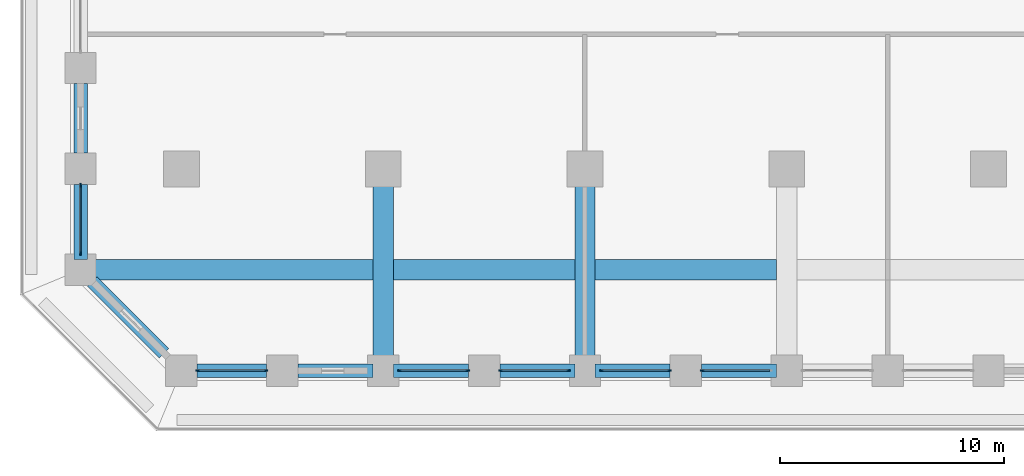
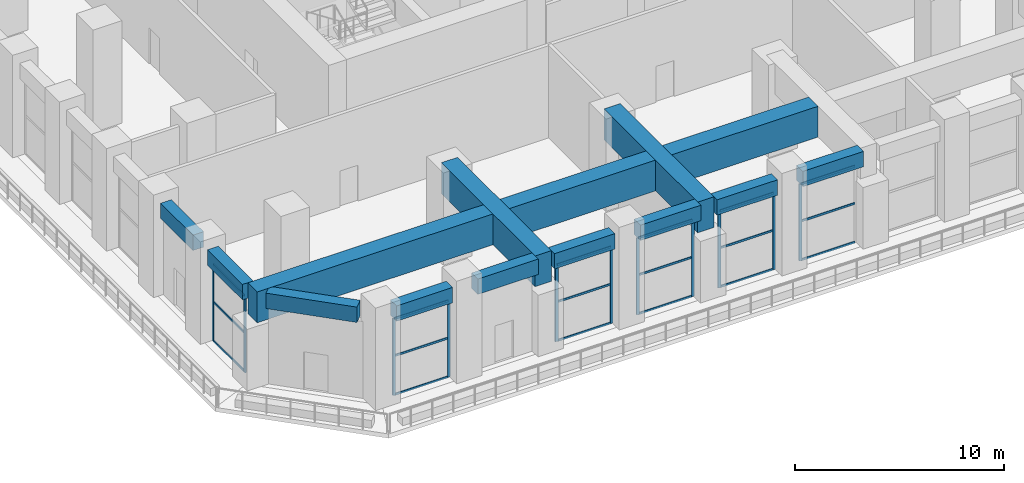
# One storey, part 2 of 19: 29 members, 14 beams, 6 elements without a shape of their own.
"""IFC4 building model written with IfcOpenShell, lengths in metres."""

from ifc_helpers import new_model, si_unit, direction, frame, origin, origin_2d, place, context, subcontext, project, spatial, rectangle, extrude, material, material_profile, profile_set, type_object, element, aggregate, save


model = new_model("IFC4")

# Units and contexts
model_context = context("Model", 3, precision=1e-05, world=origin(), true_north=direction((0.0, 1.0)))
body_context = subcontext(model_context, "Body", "Model", "MODEL_VIEW")
ifc_project = project(units=[si_unit("LENGTHUNIT", "METRE"), si_unit("AREAUNIT", "SQUARE_METRE"), si_unit("VOLUMEUNIT", "CUBIC_METRE"), si_unit("PLANEANGLEUNIT", "RADIAN"), si_unit("MASSUNIT", "GRAM", prefix="KILO")], contexts=[model_context])

# Site, building, storey
site_placement = place(None, origin())
site = spatial("IfcSite", under=ifc_project, at=site_placement, CompositionType="ELEMENT")
building_placement = place(site_placement, origin())
building = spatial("IfcBuilding", under=site, at=building_placement, Name="Corbel Stack Research Tower", CompositionType="ELEMENT")
storey_placement = place(building_placement, frame((0.0, 0.0, 70.60009765625)))
storey = spatial("IfcBuildingStorey", under=building, at=storey_placement, Name="L16", CompositionType="ELEMENT", Elevation=70.60009765625)

# Curtain wall, members
ifc_material_1 = material(Name="Aluminium frame, clear glass", Category="aluminium")
curtain_wall_type = type_object("IfcCurtainWallType", Name="Amenity floor curtain wall CW2", PredefinedType="NOTDEFINED", material=ifc_material_1)
curtain_wall_1_placement = place(storey_placement, origin())
curtain_wall_1 = element("IfcCurtainWall", 1, at=curtain_wall_1_placement, inside=storey, type_object=curtain_wall_type, Name="Curtain wall CW2 L16 S01", PredefinedType="NOTDEFINED")
ifc_material_2 = material(Name="Aluminium mullion", Category="aluminium")
ifc_material_profile_1 = material_profile(ifc_material_2, rectangle(XDim=0.06005859375, YDim=0.159912109375, at=origin_2d()), Name="Mullion 60 x 160")
ifc_profile_set_1 = profile_set([ifc_material_profile_1], Name="Aluminium mullion")
member_type_1 = type_object("IfcMemberType", Name="Curtain wall mullion 60 x 160", PredefinedType="MULLION", material=ifc_profile_set_1)
member_1_placement = place(storey_placement, frame((-17.27001953125, -27.0, 0.0), z_axis=(0.0, 0.0, 1.0), x_axis=(0.0, 1.0, 0.0)))
member_1 = element("IfcMember", 2, at=member_1_placement, type_object=member_type_1, Name="CW2 L16 S01 mullion 1", PredefinedType="MULLION", context=body_context, shape_type="SweptSolid", body=[
    extrude(rectangle(XDim=0.06005859375, YDim=0.159912109375, at=origin_2d()), origin(), (0.0, 0.0, 1.0), 4.5),
])
member_2_placement = place(storey_placement, frame((-14.22998046875, -27.0, 0.0), z_axis=(0.0, 0.0, 1.0), x_axis=(0.0, 1.0, 0.0)))
member_2 = element("IfcMember", 3, at=member_2_placement, type_object=member_type_1, Name="CW2 L16 S01 mullion 2", PredefinedType="MULLION", context=body_context, shape_type="SweptSolid", body=[
    extrude(rectangle(XDim=0.06005859375, YDim=0.159912109375, at=origin_2d()), origin(), (0.0, 0.0, 1.0), 4.5),
])

curtain_wall_2_placement = place(storey_placement, origin())
curtain_wall_2 = element("IfcCurtainWall", 4, at=curtain_wall_2_placement, inside=storey, type_object=curtain_wall_type, Name="Curtain wall CW2 L16 S03", PredefinedType="NOTDEFINED")
member_3_placement = place(storey_placement, frame((-8.27001953125, -27.0, 0.0), z_axis=(0.0, 0.0, 1.0), x_axis=(0.0, 1.0, 0.0)))
member_3 = element("IfcMember", 5, at=member_3_placement, type_object=member_type_1, Name="CW2 L16 S03 mullion 1", PredefinedType="MULLION", context=body_context, shape_type="SweptSolid", body=[
    extrude(rectangle(XDim=0.06005859375, YDim=0.159912109375, at=origin_2d()), origin(), (0.0, 0.0, 1.0), 4.5),
])
member_4_placement = place(storey_placement, frame((-5.22998046875, -27.0, 0.0), z_axis=(0.0, 0.0, 1.0), x_axis=(0.0, 1.0, 0.0)))
member_4 = element("IfcMember", 6, at=member_4_placement, type_object=member_type_1, Name="CW2 L16 S03 mullion 2", PredefinedType="MULLION", context=body_context, shape_type="SweptSolid", body=[
    extrude(rectangle(XDim=0.06005859375, YDim=0.159912109375, at=origin_2d()), origin(), (0.0, 0.0, 1.0), 4.5),
])

curtain_wall_3_placement = place(storey_placement, origin())
curtain_wall_3 = element("IfcCurtainWall", 7, at=curtain_wall_3_placement, inside=storey, type_object=curtain_wall_type, Name="Curtain wall CW2 L16 S04", PredefinedType="NOTDEFINED")
member_5_placement = place(storey_placement, frame((-3.77001953125, -27.0, 0.0), z_axis=(0.0, 0.0, 1.0), x_axis=(0.0, 1.0, 0.0)))
member_5 = element("IfcMember", 8, at=member_5_placement, type_object=member_type_1, Name="CW2 L16 S04 mullion 1", PredefinedType="MULLION", context=body_context, shape_type="SweptSolid", body=[
    extrude(rectangle(XDim=0.06005859375, YDim=0.159912109375, at=origin_2d()), origin(), (0.0, 0.0, 1.0), 4.5),
])
member_6_placement = place(storey_placement, frame((-0.72998046875, -27.0, 0.0), z_axis=(0.0, 0.0, 1.0), x_axis=(0.0, 1.0, 0.0)))
member_6 = element("IfcMember", 9, at=member_6_placement, type_object=member_type_1, Name="CW2 L16 S04 mullion 2", PredefinedType="MULLION", context=body_context, shape_type="SweptSolid", body=[
    extrude(rectangle(XDim=0.06005859375, YDim=0.159912109375, at=origin_2d()), origin(), (0.0, 0.0, 1.0), 4.5),
])

curtain_wall_4_placement = place(storey_placement, origin())
curtain_wall_4 = element("IfcCurtainWall", 10, at=curtain_wall_4_placement, inside=storey, type_object=curtain_wall_type, Name="Curtain wall CW2 L16 S05", PredefinedType="NOTDEFINED")
member_7_placement = place(storey_placement, frame((0.72998046875, -27.0, 0.0), z_axis=(0.0, 0.0, 1.0), x_axis=(0.0, 1.0, 0.0)))
member_7 = element("IfcMember", 11, at=member_7_placement, type_object=member_type_1, Name="CW2 L16 S05 mullion 1", PredefinedType="MULLION", context=body_context, shape_type="SweptSolid", body=[
    extrude(rectangle(XDim=0.06005859375, YDim=0.159912109375, at=origin_2d()), origin(), (0.0, 0.0, 1.0), 4.5),
])
member_8_placement = place(storey_placement, frame((3.77001953125, -27.0, 0.0), z_axis=(0.0, 0.0, 1.0), x_axis=(0.0, 1.0, 0.0)))
member_8 = element("IfcMember", 12, at=member_8_placement, type_object=member_type_1, Name="CW2 L16 S05 mullion 2", PredefinedType="MULLION", context=body_context, shape_type="SweptSolid", body=[
    extrude(rectangle(XDim=0.06005859375, YDim=0.159912109375, at=origin_2d()), origin(), (0.0, 0.0, 1.0), 4.5),
])

# Curtain wall, member
curtain_wall_5_placement = place(storey_placement, origin())
curtain_wall_5 = element("IfcCurtainWall", 13, at=curtain_wall_5_placement, inside=storey, type_object=curtain_wall_type, Name="Curtain wall CW2 L16 S06", PredefinedType="NOTDEFINED")
member_9_placement = place(storey_placement, frame((5.22998046875, -27.0, 0.0), z_axis=(0.0, 0.0, 1.0), x_axis=(0.0, 1.0, 0.0)))
member_9 = element("IfcMember", 14, at=member_9_placement, type_object=member_type_1, Name="CW2 L16 S06 mullion 1", PredefinedType="MULLION", context=body_context, shape_type="SweptSolid", body=[
    extrude(rectangle(XDim=0.06005859375, YDim=0.159912109375, at=origin_2d()), origin(), (0.0, 0.0, 1.0), 4.5),
])

# Curtain wall, members
curtain_wall_6_placement = place(storey_placement, origin())
curtain_wall_6 = element("IfcCurtainWall", 15, at=curtain_wall_6_placement, inside=storey, type_object=curtain_wall_type, Name="Curtain wall CW2 L16 W10", PredefinedType="NOTDEFINED")
member_10_placement = place(storey_placement, frame((-22.5, -18.72998046875, 0.0), z_axis=(0.0, 0.0, 1.0), x_axis=(1.0, 0.0, 0.0)))
member_10 = element("IfcMember", 16, at=member_10_placement, type_object=member_type_1, Name="CW2 L16 W10 mullion 1", PredefinedType="MULLION", context=body_context, shape_type="SweptSolid", body=[
    extrude(rectangle(XDim=0.06005859375, YDim=0.159912109375, at=origin_2d()), origin(), (0.0, 0.0, 1.0), 4.5),
])
member_11_placement = place(storey_placement, frame((-22.5, -21.77001953125, 0.0), z_axis=(0.0, 0.0, 1.0), x_axis=(1.0, 0.0, 0.0)))
member_11 = element("IfcMember", 17, at=member_11_placement, type_object=member_type_1, Name="CW2 L16 W10 mullion 2", PredefinedType="MULLION", context=body_context, shape_type="SweptSolid", body=[
    extrude(rectangle(XDim=0.06005859375, YDim=0.159912109375, at=origin_2d()), origin(), (0.0, 0.0, 1.0), 4.5),
])

# Member
ifc_material_3 = material(Name="Aluminium transom", Category="aluminium")
ifc_material_profile_2 = material_profile(ifc_material_3, rectangle(XDim=0.06005859375, YDim=0.1201171875, at=origin_2d()), Name="Transom 60 x 120")
ifc_profile_set_2 = profile_set([ifc_material_profile_2], Name="Aluminium transom")
member_type_2 = type_object("IfcMemberType", Name="Curtain wall transom 60 x 120", PredefinedType="USERDEFINED", material=ifc_profile_set_2)
member_12_placement = place(storey_placement, frame((-17.239990234375, -27.0, 0.02978515625), z_axis=(1.0, 0.0, 0.0), x_axis=(0.0, 1.0, 0.0)))
member_12 = element("IfcMember", 18, at=member_12_placement, type_object=member_type_2, Name="CW2 L16 S01 transom 1.1", ObjectType="TRANSOM", PredefinedType="USERDEFINED", context=body_context, shape_type="SweptSolid", body=[
    extrude(rectangle(XDim=0.06005859375, YDim=0.1201171875, at=origin_2d()), origin(), (0.0, 0.0, 1.0), 2.97998046875),
])

member_13_placement = place(storey_placement, frame((-17.239990234375, -27.0, 2.2998046875), z_axis=(1.0, 0.0, 0.0), x_axis=(0.0, 1.0, 0.0)))
member_13 = element("IfcMember", 19, at=member_13_placement, type_object=member_type_2, Name="CW2 L16 S01 transom 1.2", ObjectType="TRANSOM", PredefinedType="USERDEFINED", context=body_context, shape_type="SweptSolid", body=[
    extrude(rectangle(XDim=0.06005859375, YDim=0.1201171875, at=origin_2d()), origin(), (0.0, 0.0, 1.0), 2.97998046875),
])

member_14_placement = place(storey_placement, frame((-17.239990234375, -27.0, 4.469970703125), z_axis=(1.0, 0.0, 0.0), x_axis=(0.0, 1.0, 0.0)))
member_14 = element("IfcMember", 20, at=member_14_placement, type_object=member_type_2, Name="CW2 L16 S01 transom 1.3", ObjectType="TRANSOM", PredefinedType="USERDEFINED", context=body_context, shape_type="SweptSolid", body=[
    extrude(rectangle(XDim=0.06005859375, YDim=0.1201171875, at=origin_2d()), origin(), (0.0, 0.0, 1.0), 2.97998046875),
])

aggregate(curtain_wall_1, [member_1, member_2, member_12, member_13, member_14])

member_15_placement = place(storey_placement, frame((-8.239990234375, -27.0, 0.02978515625), z_axis=(1.0, 0.0, 0.0), x_axis=(0.0, 1.0, 0.0)))
member_15 = element("IfcMember", 21, at=member_15_placement, type_object=member_type_2, Name="CW2 L16 S03 transom 1.1", ObjectType="TRANSOM", PredefinedType="USERDEFINED", context=body_context, shape_type="SweptSolid", body=[
    extrude(rectangle(XDim=0.06005859375, YDim=0.1201171875, at=origin_2d()), origin(), (0.0, 0.0, 1.0), 2.97998046875),
])

member_16_placement = place(storey_placement, frame((-8.239990234375, -27.0, 2.2998046875), z_axis=(1.0, 0.0, 0.0), x_axis=(0.0, 1.0, 0.0)))
member_16 = element("IfcMember", 22, at=member_16_placement, type_object=member_type_2, Name="CW2 L16 S03 transom 1.2", ObjectType="TRANSOM", PredefinedType="USERDEFINED", context=body_context, shape_type="SweptSolid", body=[
    extrude(rectangle(XDim=0.06005859375, YDim=0.1201171875, at=origin_2d()), origin(), (0.0, 0.0, 1.0), 2.97998046875),
])

member_17_placement = place(storey_placement, frame((-8.239990234375, -27.0, 4.469970703125), z_axis=(1.0, 0.0, 0.0), x_axis=(0.0, 1.0, 0.0)))
member_17 = element("IfcMember", 23, at=member_17_placement, type_object=member_type_2, Name="CW2 L16 S03 transom 1.3", ObjectType="TRANSOM", PredefinedType="USERDEFINED", context=body_context, shape_type="SweptSolid", body=[
    extrude(rectangle(XDim=0.06005859375, YDim=0.1201171875, at=origin_2d()), origin(), (0.0, 0.0, 1.0), 2.97998046875),
])

aggregate(curtain_wall_2, [member_3, member_4, member_15, member_16, member_17])

member_18_placement = place(storey_placement, frame((-3.739990234375, -27.0, 0.02978515625), z_axis=(1.0, 0.0, 0.0), x_axis=(0.0, 1.0, 0.0)))
member_18 = element("IfcMember", 24, at=member_18_placement, type_object=member_type_2, Name="CW2 L16 S04 transom 1.1", ObjectType="TRANSOM", PredefinedType="USERDEFINED", context=body_context, shape_type="SweptSolid", body=[
    extrude(rectangle(XDim=0.06005859375, YDim=0.1201171875, at=origin_2d()), origin(), (0.0, 0.0, 1.0), 2.97998046875),
])

member_19_placement = place(storey_placement, frame((-3.739990234375, -27.0, 2.2998046875), z_axis=(1.0, 0.0, 0.0), x_axis=(0.0, 1.0, 0.0)))
member_19 = element("IfcMember", 25, at=member_19_placement, type_object=member_type_2, Name="CW2 L16 S04 transom 1.2", ObjectType="TRANSOM", PredefinedType="USERDEFINED", context=body_context, shape_type="SweptSolid", body=[
    extrude(rectangle(XDim=0.06005859375, YDim=0.1201171875, at=origin_2d()), origin(), (0.0, 0.0, 1.0), 2.97998046875),
])

member_20_placement = place(storey_placement, frame((-3.739990234375, -27.0, 4.469970703125), z_axis=(1.0, 0.0, 0.0), x_axis=(0.0, 1.0, 0.0)))
member_20 = element("IfcMember", 26, at=member_20_placement, type_object=member_type_2, Name="CW2 L16 S04 transom 1.3", ObjectType="TRANSOM", PredefinedType="USERDEFINED", context=body_context, shape_type="SweptSolid", body=[
    extrude(rectangle(XDim=0.06005859375, YDim=0.1201171875, at=origin_2d()), origin(), (0.0, 0.0, 1.0), 2.97998046875),
])

aggregate(curtain_wall_3, [member_5, member_6, member_18, member_19, member_20])

member_21_placement = place(storey_placement, frame((0.760009765625, -27.0, 0.02978515625), z_axis=(1.0, 0.0, 0.0), x_axis=(0.0, 1.0, 0.0)))
member_21 = element("IfcMember", 27, at=member_21_placement, type_object=member_type_2, Name="CW2 L16 S05 transom 1.1", ObjectType="TRANSOM", PredefinedType="USERDEFINED", context=body_context, shape_type="SweptSolid", body=[
    extrude(rectangle(XDim=0.06005859375, YDim=0.1201171875, at=origin_2d()), origin(), (0.0, 0.0, 1.0), 2.97998046875),
])

member_22_placement = place(storey_placement, frame((0.760009765625, -27.0, 2.2998046875), z_axis=(1.0, 0.0, 0.0), x_axis=(0.0, 1.0, 0.0)))
member_22 = element("IfcMember", 28, at=member_22_placement, type_object=member_type_2, Name="CW2 L16 S05 transom 1.2", ObjectType="TRANSOM", PredefinedType="USERDEFINED", context=body_context, shape_type="SweptSolid", body=[
    extrude(rectangle(XDim=0.06005859375, YDim=0.1201171875, at=origin_2d()), origin(), (0.0, 0.0, 1.0), 2.97998046875),
])

member_23_placement = place(storey_placement, frame((0.760009765625, -27.0, 4.469970703125), z_axis=(1.0, 0.0, 0.0), x_axis=(0.0, 1.0, 0.0)))
member_23 = element("IfcMember", 29, at=member_23_placement, type_object=member_type_2, Name="CW2 L16 S05 transom 1.3", ObjectType="TRANSOM", PredefinedType="USERDEFINED", context=body_context, shape_type="SweptSolid", body=[
    extrude(rectangle(XDim=0.06005859375, YDim=0.1201171875, at=origin_2d()), origin(), (0.0, 0.0, 1.0), 2.97998046875),
])

aggregate(curtain_wall_4, [member_7, member_8, member_21, member_22, member_23])

member_24_placement = place(storey_placement, frame((5.260009765625, -27.0, 0.02978515625), z_axis=(1.0, 0.0, 0.0), x_axis=(0.0, 1.0, 0.0)))
member_24 = element("IfcMember", 30, at=member_24_placement, type_object=member_type_2, Name="CW2 L16 S06 transom 1.1", ObjectType="TRANSOM", PredefinedType="USERDEFINED", context=body_context, shape_type="SweptSolid", body=[
    extrude(rectangle(XDim=0.06005859375, YDim=0.1201171875, at=origin_2d()), origin(), (0.0, 0.0, 1.0), 2.97998046875),
])

member_25_placement = place(storey_placement, frame((5.260009765625, -27.0, 2.2998046875), z_axis=(1.0, 0.0, 0.0), x_axis=(0.0, 1.0, 0.0)))
member_25 = element("IfcMember", 31, at=member_25_placement, type_object=member_type_2, Name="CW2 L16 S06 transom 1.2", ObjectType="TRANSOM", PredefinedType="USERDEFINED", context=body_context, shape_type="SweptSolid", body=[
    extrude(rectangle(XDim=0.06005859375, YDim=0.1201171875, at=origin_2d()), origin(), (0.0, 0.0, 1.0), 2.97998046875),
])

member_26_placement = place(storey_placement, frame((5.260009765625, -27.0, 4.469970703125), z_axis=(1.0, 0.0, 0.0), x_axis=(0.0, 1.0, 0.0)))
member_26 = element("IfcMember", 32, at=member_26_placement, type_object=member_type_2, Name="CW2 L16 S06 transom 1.3", ObjectType="TRANSOM", PredefinedType="USERDEFINED", context=body_context, shape_type="SweptSolid", body=[
    extrude(rectangle(XDim=0.06005859375, YDim=0.1201171875, at=origin_2d()), origin(), (0.0, 0.0, 1.0), 2.97998046875),
])

aggregate(curtain_wall_5, [member_9, member_24, member_25, member_26])

member_27_placement = place(storey_placement, frame((-22.5, -18.760009765625, 0.02978515625), z_axis=(0.0, -1.0, 0.0), x_axis=(1.0, 0.0, 0.0)))
member_27 = element("IfcMember", 33, at=member_27_placement, type_object=member_type_2, Name="CW2 L16 W10 transom 1.1", ObjectType="TRANSOM", PredefinedType="USERDEFINED", context=body_context, shape_type="SweptSolid", body=[
    extrude(rectangle(XDim=0.06005859375, YDim=0.1201171875, at=origin_2d()), origin(), (0.0, 0.0, 1.0), 2.97998046875),
])

member_28_placement = place(storey_placement, frame((-22.5, -18.760009765625, 2.2998046875), z_axis=(0.0, -1.0, 0.0), x_axis=(1.0, 0.0, 0.0)))
member_28 = element("IfcMember", 34, at=member_28_placement, type_object=member_type_2, Name="CW2 L16 W10 transom 1.2", ObjectType="TRANSOM", PredefinedType="USERDEFINED", context=body_context, shape_type="SweptSolid", body=[
    extrude(rectangle(XDim=0.06005859375, YDim=0.1201171875, at=origin_2d()), origin(), (0.0, 0.0, 1.0), 2.97998046875),
])

member_29_placement = place(storey_placement, frame((-22.5, -18.760009765625, 4.469970703125), z_axis=(0.0, -1.0, 0.0), x_axis=(1.0, 0.0, 0.0)))
member_29 = element("IfcMember", 35, at=member_29_placement, type_object=member_type_2, Name="CW2 L16 W10 transom 1.3", ObjectType="TRANSOM", PredefinedType="USERDEFINED", context=body_context, shape_type="SweptSolid", body=[
    extrude(rectangle(XDim=0.06005859375, YDim=0.1201171875, at=origin_2d()), origin(), (0.0, 0.0, 1.0), 2.97998046875),
])

aggregate(curtain_wall_6, [member_10, member_11, member_27, member_28, member_29])

# Beams
ifc_material_4 = material(Name="Concrete C60/75", Category="concrete")
ifc_material_profile_3 = material_profile(ifc_material_4, rectangle(XDim=0.60009765625, YDim=0.89990234375, at=origin_2d()), Name="RC 600 x 900")
ifc_profile_set_3 = profile_set([ifc_material_profile_3], Name="Concrete C60/75")
beam_type_1 = type_object("IfcBeamType", Name="SB-600-900-600", PredefinedType="SPANDREL", material=ifc_profile_set_3)
beam_1_placement = place(storey_placement, frame((-17.300048828125, -27.0, 4.949951171875), z_axis=(1.0, 0.0, 0.0), x_axis=(0.0, 1.0, 0.0)))
element("IfcBeam", 36, at=beam_1_placement, inside=storey, type_object=beam_type_1, Name="Spandrel beam L16-01", PredefinedType="SPANDREL", context=body_context, shape_type="SweptSolid", body=[
    extrude(rectangle(XDim=0.60009765625, YDim=0.89990234375, at=origin_2d()), origin(), (0.0, 0.0, 1.0), 3.10009765625),
])
for number, where, z_axis, x_axis, name in (
    (37, (-12.800048828125, -27.0, 4.949951171875), (1.0, 0.0, 0.0), (0.0, 1.0, 0.0), "Spandrel beam L16-02"),
    (38, (-8.550048828125, -27.0, 4.949951171875), (1.0, 0.0, 0.0), (0.0, 1.0, 0.0), "Spandrel beam L16-03"),
    (39, (-3.800048828125, -27.0, 4.949951171875), (1.0, 0.0, 0.0), (0.0, 1.0, 0.0), "Spandrel beam L16-04"),
    (40, (0.449951171875, -27.0, 4.949951171875), (1.0, 0.0, 0.0), (0.0, 1.0, 0.0), "Spandrel beam L16-05"),
    (41, (5.199951171875, -27.0, 4.949951171875), (1.0, 0.0, 0.0), (0.0, 1.0, 0.0), "Spandrel beam L16-06"),
):
    element("IfcBeam", number, at=place(storey_placement, frame(where, z_axis=z_axis, x_axis=x_axis)), inside=storey, type_object=beam_type_1, Name=name, PredefinedType="SPANDREL", context=body_context, shape_type="SweptSolid", body=[
        extrude(rectangle(XDim=0.60009765625, YDim=0.89990234375, at=origin_2d()), origin(), (0.0, 0.0, 1.0), 3.35009765625),
    ])
beam_2_placement = place(storey_placement, frame((-22.5, -14.199951171875, 4.949951171875), z_axis=(0.0, -1.0, 0.0), x_axis=(1.0, 0.0, 0.0)))
element("IfcBeam", 42, at=beam_2_placement, inside=storey, type_object=beam_type_1, Name="Spandrel beam L16-42", PredefinedType="SPANDREL", context=body_context, shape_type="SweptSolid", body=[
    extrude(rectangle(XDim=0.60009765625, YDim=0.89990234375, at=origin_2d()), origin(), (0.0, 0.0, 1.0), 3.10009765625),
])
beam_3_placement = place(storey_placement, frame((-22.5, -18.699951171875, 4.949951171875), z_axis=(0.0, -1.0, 0.0), x_axis=(1.0, 0.0, 0.0)))
element("IfcBeam", 43, at=beam_3_placement, inside=storey, type_object=beam_type_1, Name="Spandrel beam L16-43", PredefinedType="SPANDREL", context=body_context, shape_type="SweptSolid", body=[
    extrude(rectangle(XDim=0.60009765625, YDim=0.89990234375, at=origin_2d()), origin(), (0.0, 0.0, 1.0), 3.35009765625),
])
beam_4_placement = place(storey_placement, frame((-21.97216796875, -23.02783203125, 4.949951171875), z_axis=(0.707106781187, -0.707106781187, 0.0), x_axis=(0.707106781187, 0.707106781187, 0.0)))
element("IfcBeam", 44, at=beam_4_placement, inside=storey, type_object=beam_type_1, Name="Spandrel beam L16-44", PredefinedType="SPANDREL", context=body_context, shape_type="SweptSolid", body=[
    extrude(rectangle(XDim=0.60009765625, YDim=0.89990234375, at=origin_2d()), origin(), (0.0, 0.0, 1.0), 4.517578125),
])
ifc_material_5 = material(Name="Concrete C60/75", Category="concrete")
ifc_material_profile_4 = material_profile(ifc_material_5, rectangle(XDim=0.89990234375, YDim=1.800048828125, at=origin_2d()), Name="RC 900 x 1800")
ifc_profile_set_4 = profile_set([ifc_material_profile_4], Name="Concrete C60/75")
beam_type_2 = type_object("IfcBeamType", Name="TG-900-1800", PredefinedType="BEAM", material=ifc_profile_set_4)
for number, where, z_axis, x_axis, name in (
    (45, (-9.0, -27.0, 4.5), (0.0, 1.0, 0.0), (-1.0, 0.0, 0.0), "Transfer cross girder L16 Sx-9"),
    (46, (0.0, -27.0, 4.5), (0.0, 1.0, 0.0), (-1.0, 0.0, 0.0), "Transfer cross girder L16 Sx0"),
):
    element("IfcBeam", number, at=place(storey_placement, frame(where, z_axis=z_axis, x_axis=x_axis)), inside=storey, type_object=beam_type_2, Name=name, PredefinedType="BEAM", context=body_context, shape_type="SweptSolid", body=[
        extrude(rectangle(XDim=0.89990234375, YDim=1.800048828125, at=origin_2d()), origin(), (0.0, 0.0, 1.0), 9.0),
    ])
beam_5_placement = place(storey_placement, frame((-22.5, -22.5, 4.5), z_axis=(1.0, 0.0, 0.0), x_axis=(0.0, 1.0, 0.0)))
element("IfcBeam", 47, at=beam_5_placement, inside=storey, type_object=beam_type_2, Name="Transfer girder along the step L16 Sl-22.5", PredefinedType="BEAM", context=body_context, shape_type="SweptSolid", body=[
    extrude(rectangle(XDim=0.89990234375, YDim=1.800048828125, at=origin_2d()), origin(), (0.0, 0.0, 1.0), 13.050048828125),
])
for number, where, z_axis, x_axis, name in (
    (48, (-8.550048828125, -22.5, 4.5), (1.0, 0.0, 0.0), (0.0, 1.0, 0.0), "Transfer girder along the step L16 Sl-9"),
    (49, (0.449951171875, -22.5, 4.5), (1.0, 0.0, 0.0), (0.0, 1.0, 0.0), "Transfer girder along the step L16 Sl0"),
):
    element("IfcBeam", number, at=place(storey_placement, frame(where, z_axis=z_axis, x_axis=x_axis)), inside=storey, type_object=beam_type_2, Name=name, PredefinedType="BEAM", context=body_context, shape_type="SweptSolid", body=[
        extrude(rectangle(XDim=0.89990234375, YDim=1.800048828125, at=origin_2d()), origin(), (0.0, 0.0, 1.0), 8.10009765625),
    ])

save(model, "model.ifc")
